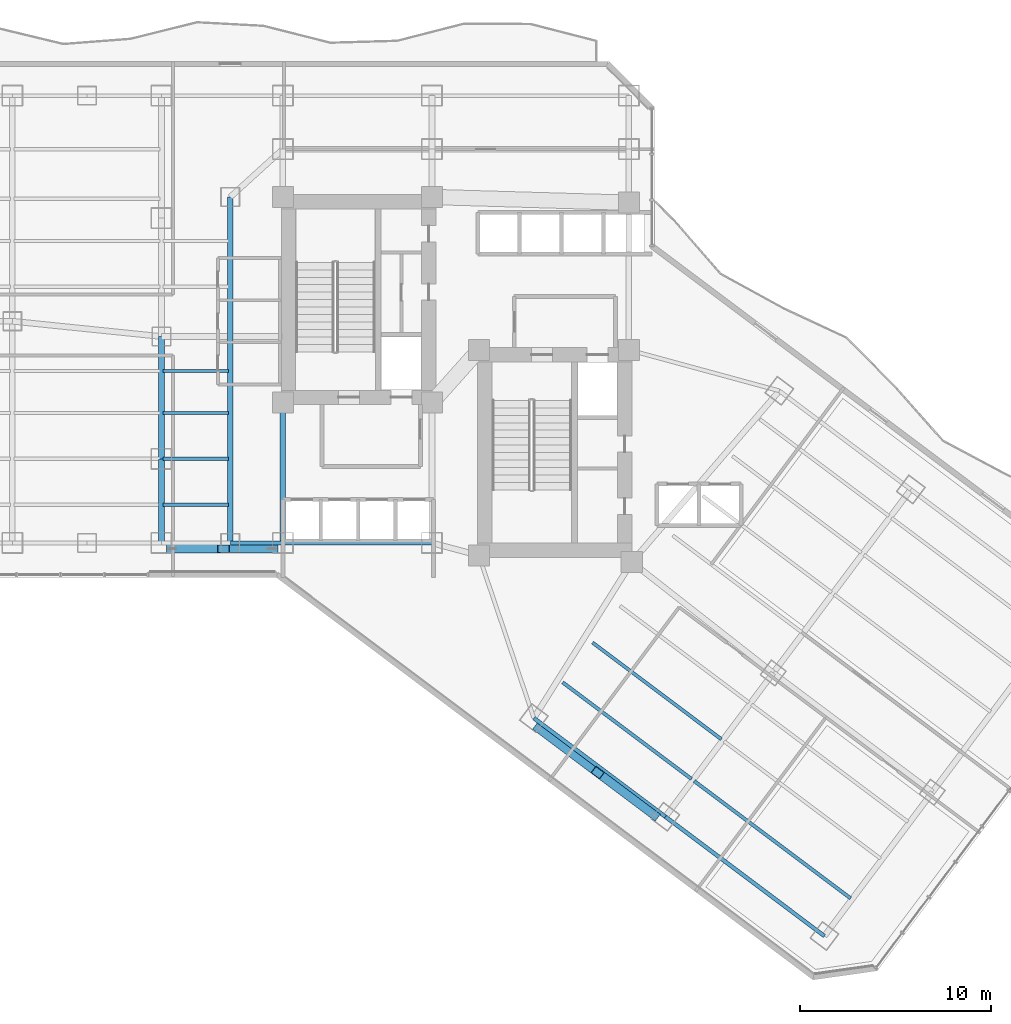
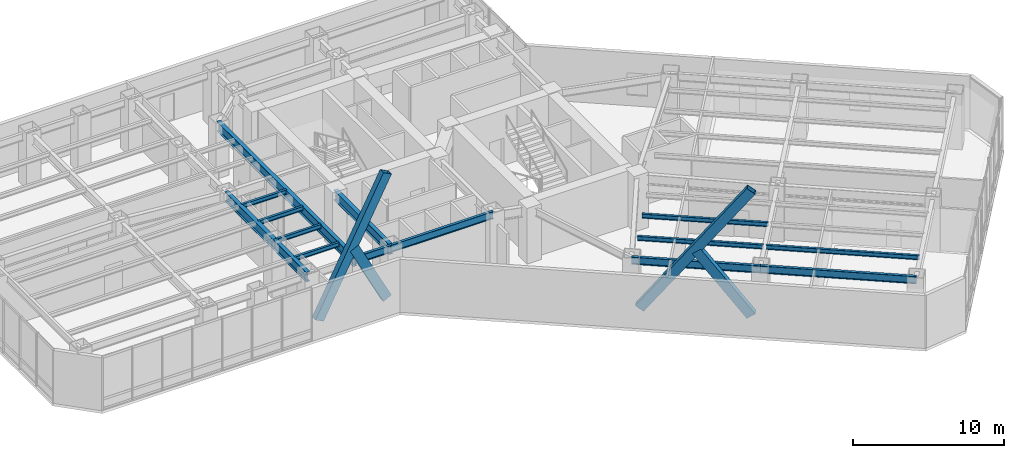
# One storey, part 5 of 29: 15 beams, 4 members.
"""IFC4 building model written with IfcOpenShell, lengths in metres."""

import ifcopenshell
import ifcopenshell.guid

model = None  # the IFC model being written
_history = None  # IfcOwnerHistory: only IFC2X3 demands one
_inside = {}  # id of a spatial element -> (the spatial element, [elements in it])
_under = {}  # id of a project, library or spatial element -> (it, [spatial elements below it])
_declared = {}  # id of a project -> (the project, [libraries it declares])
_typed = {}  # id of a type object -> (the type object, [elements of that type])
_made_of = {}  # id of a material, layer set ... -> (it, [elements and type objects made of it])


def new_model(schema):
    """Start an empty IFC model of exactly this schema.

    Asked for "IFC4X3", IfcOpenShell would pick the latest addendum, in which some entities
    have other attributes; the version numbers below select the first issue.
    IFC2X3 requires an IfcOwnerHistory on every rooted entity: one is made here for all.
    """
    global model, _history
    if schema == "IFC4X3":
        model = ifcopenshell.file(schema_version=(4, 3, 0, 0))
    else:
        model = ifcopenshell.file(schema=schema)
    _inside.clear()
    _under.clear()
    _declared.clear()
    _typed.clear()
    _made_of.clear()
    _history = None
    if model.schema == "IFC2X3":
        org = make("IfcOrganization", Name="unknown")
        user = make(
            "IfcPersonAndOrganization",
            ThePerson=make("IfcPerson", FamilyName="unknown"),
            TheOrganization=org,
        )
        app = make(
            "IfcApplication",
            ApplicationDeveloper=org,
            Version="unknown",
            ApplicationFullName="unknown",
            ApplicationIdentifier="unknown",
        )
        _history = make(
            "IfcOwnerHistory",
            OwningUser=user,
            OwningApplication=app,
            ChangeAction="ADDED",
            CreationDate=0,
        )
    return model


def make(cls, **values):
    """One entity of the class cls with the attributes given. An attribute that is None is left unset."""
    return model.create_entity(
        cls, **{name: value for name, value in values.items() if value is not None}
    )


def rooted(cls, **values):
    """An entity with a GlobalId (a new one), such as an element, a storey or a relation."""
    return make(cls, GlobalId=ifcopenshell.guid.new(), OwnerHistory=_history, **values)


def si_unit(unit_type, name, prefix=None):
    """IfcSIUnit, for example si_unit("LENGTHUNIT", "METRE", prefix="MILLI")."""
    return make("IfcSIUnit", UnitType=unit_type, Prefix=prefix, Name=name)


def assignment(units):
    """IfcUnitAssignment: the units of a project."""
    return None if units is None else make("IfcUnitAssignment", Units=units)


def point(xyz):
    """IfcCartesianPoint."""
    return None if xyz is None else make("IfcCartesianPoint", Coordinates=xyz)


def direction(xyz):
    """IfcDirection."""
    return None if xyz is None else make("IfcDirection", DirectionRatios=xyz)


def frame(location, z_axis=None, x_axis=None):
    """IfcAxis2Placement3D, a coordinate frame: its origin and axes. An axis left out is left unset."""
    return make(
        "IfcAxis2Placement3D",
        Location=point(location),
        Axis=direction(z_axis),
        RefDirection=direction(x_axis),
    )


def frame_2d(location, x_axis=None):
    """IfcAxis2Placement2D, a coordinate frame in the plane: its origin and x axis."""
    return make(
        "IfcAxis2Placement2D", Location=point(location), RefDirection=direction(x_axis)
    )


def origin():
    """The frame at (0, 0, 0) with its axes left unset."""
    return frame((0.0, 0.0, 0.0))


def origin_2d():
    """The frame at (0, 0) in the plane with its x axis left unset."""
    return frame_2d((0.0, 0.0))


def place(relative_to, where):
    """IfcLocalPlacement: puts the frame where relative to a parent placement (None: the world)."""
    return make(
        "IfcLocalPlacement", PlacementRelTo=relative_to, RelativePlacement=where
    )


def context(
    kind, dimensions, precision=None, world=None, true_north=None, identifier=None
):
    """IfcGeometricRepresentationContext, for example the 3D "Model" context."""
    return make(
        "IfcGeometricRepresentationContext",
        ContextIdentifier=identifier,
        ContextType=kind,
        CoordinateSpaceDimension=dimensions,
        Precision=precision,
        WorldCoordinateSystem=world,
        TrueNorth=true_north,
    )


def subcontext(parent, identifier, kind, view, scale=None):
    """IfcGeometricRepresentationSubContext, for example "Body" below "Model"."""
    return make(
        "IfcGeometricRepresentationSubContext",
        ContextIdentifier=identifier,
        ContextType=kind,
        ParentContext=parent,
        TargetScale=scale,
        TargetView=view,
    )


def project(units=None, contexts=None):
    """IfcProject with its units and contexts."""
    return rooted(
        "IfcProject",
        Name="project",
        RepresentationContexts=contexts,
        UnitsInContext=assignment(units),
    )


def spatial(cls, under=None, at=None, **own):
    """A site, building, storey or space (cls), placed at a placement, below another one or the project."""
    s = rooted(cls, ObjectPlacement=at, **own)
    if under is not None:
        _under.setdefault(under.id(), (under, []))[1].append(s)
    return s


def profile(cls, at=None, kind="AREA", **sizes):
    """A parametric profile (cls). Its sizes go by their IFC names, for example OverallWidth=200.0."""
    return make(cls, ProfileType=kind, Position=at, **sizes)


def hollow_rectangle(**sizes):
    """IfcRectangleHollowProfileDef."""
    return profile("IfcRectangleHollowProfileDef", **sizes)


def i_section(**sizes):
    """IfcIShapeProfileDef."""
    return profile("IfcIShapeProfileDef", **sizes)


def extrude(swept, where, along, depth):
    """IfcExtrudedAreaSolid: the profile swept, set in the frame where, extruded along a direction by depth."""
    return make(
        "IfcExtrudedAreaSolid",
        SweptArea=swept,
        Position=where,
        ExtrudedDirection=direction(along),
        Depth=depth,
    )


def shape(context_of_items, identifier, shape_type, items):
    """IfcShapeRepresentation: the items that make up one representation, for example the "Body"."""
    return make(
        "IfcShapeRepresentation",
        ContextOfItems=context_of_items,
        RepresentationIdentifier=identifier,
        RepresentationType=shape_type,
        Items=items,
    )


def material(Name=None, Category=None):
    """IfcMaterial."""
    return make("IfcMaterial", Name=Name, Category=Category)


def material_profile(
    of_material, cross_section, Name=None, Category=None, Priority=None
):
    """IfcMaterialProfile: a cross section and its material."""
    return make(
        "IfcMaterialProfile",
        Name=Name,
        Material=of_material,
        Profile=cross_section,
        Priority=Priority,
        Category=Category,
    )


def profile_set(profiles, Name=None, composite=None):
    """IfcMaterialProfileSet."""
    return make(
        "IfcMaterialProfileSet",
        Name=Name,
        MaterialProfiles=profiles,
        CompositeProfile=composite,
    )


def made_of(thing, what):
    """Note that an element or type object is made of a material, layer set ...; save() writes the relation."""
    if what is not None:
        _made_of.setdefault(what.id(), (what, []))[1].append(thing)
    return thing


def type_object(cls, material=None, **own):
    """A type object (cls), such as IfcWallType, which elements share."""
    return made_of(rooted(cls, **own), material)


def element(
    cls,
    number,
    at=None,
    inside=None,
    cuts=None,
    type_object=None,
    material=None,
    context=None,
    identifier="Body",
    shape_type=None,
    held_by="IfcProductDefinitionShape",
    body=None,
    shapes=None,
    **own,
):
    """One element of the class cls, such as IfcWall. Its Tag is "e" and its number.

    at: its placement. inside: the storey or other place that contains it. cuts: it is an
    opening in that element (IfcRelVoidsElement). A single representation is given by context,
    identifier, shape_type and body (its items); several are given by shapes. held_by: the class
    of the entity that holds the representations. save() writes the other relations.
    """
    e = rooted(cls, Tag="e%d" % number, ObjectPlacement=at, **own)
    if body is not None:
        shapes = [shape(context, identifier, shape_type, body)]
    if shapes is not None:
        e.Representation = make(held_by, Representations=shapes)
    if inside is not None:
        _inside.setdefault(inside.id(), (inside, []))[1].append(e)
    if cuts is not None:
        rooted(
            "IfcRelVoidsElement", RelatingBuildingElement=cuts, RelatedOpeningElement=e
        )
    if type_object is not None:
        _typed.setdefault(type_object.id(), (type_object, []))[1].append(e)
    return made_of(e, material)


def aggregate(whole, parts):
    """IfcRelAggregates: a whole, such as a stair, and the parts it consists of."""
    return rooted("IfcRelAggregates", RelatingObject=whole, RelatedObjects=parts)


def save(model, path):
    """Write the relations noted so far, then the file.

    IfcRelAggregates (storeys below a building ...), IfcRelContainedInSpatialStructure (elements
    in a storey), IfcRelDefinesByType, IfcRelAssociatesMaterial and IfcRelDeclares: one each for
    every whole, place, type object, material and project.
    """
    for whole, parts in _under.values():
        aggregate(whole, parts)
    for where, things in _inside.values():
        rooted(
            "IfcRelContainedInSpatialStructure",
            RelatedElements=things,
            RelatingStructure=where,
        )
    for kind, things in _typed.values():
        rooted("IfcRelDefinesByType", RelatedObjects=things, RelatingType=kind)
    for what, things in _made_of.values():
        rooted("IfcRelAssociatesMaterial", RelatedObjects=things, RelatingMaterial=what)
    for by, libraries in _declared.values():
        rooted("IfcRelDeclares", RelatingContext=by, RelatedDefinitions=libraries)
    model.write(path)


model = new_model("IFC4")

# Units and contexts
model_context = context("Model", 3, precision=1e-05, world=origin(), true_north=direction((0.0, 1.0)))
body_context = subcontext(model_context, "Body", "Model", "MODEL_VIEW")
ifc_project = project(units=[si_unit("LENGTHUNIT", "METRE"), si_unit("AREAUNIT", "SQUARE_METRE"), si_unit("VOLUMEUNIT", "CUBIC_METRE"), si_unit("PLANEANGLEUNIT", "RADIAN"), si_unit("MASSUNIT", "GRAM", prefix="KILO")], contexts=[model_context])

# Site, building, storey
site_placement = place(None, origin())
site = spatial("IfcSite", under=ifc_project, at=site_placement, CompositionType="ELEMENT")
building_placement = place(site_placement, origin())
building = spatial("IfcBuilding", under=site, at=building_placement, Name="Hatsunagi Terrace Concourse", CompositionType="ELEMENT")
storey_placement = place(building_placement, frame((0.0, 0.0, 32.10009765625)))
storey = spatial("IfcBuildingStorey", under=building, at=storey_placement, Name="L07", CompositionType="ELEMENT", Elevation=32.10009765625)

# Beams
ifc_material_1 = material(Name="Steel SN490B", Category="steel")
ifc_material_profile_1 = material_profile(ifc_material_1, i_section(OverallWidth=0.175048828125, OverallDepth=0.35009765625, WebThickness=0.007080078125, FlangeThickness=0.010986328125, FilletRadius=0.012939453125, at=origin_2d()), Name="H-350x175x7x11")
ifc_profile_set_1 = profile_set([ifc_material_profile_1], Name="Steel SN490B")
beam_type_1 = type_object("IfcBeamType", Name="HotelJoist_H_350x175", PredefinedType="JOIST", material=ifc_profile_set_1)
for number, where, z_axis, x_axis, name in (
    (1, (19.284912109375, 27.199951171875, 4.10498046875), (1.0, 0.0, 0.0), (0.0, 1.0, 0.0), "Beam J-02 J-L07-W-19-272"),
    (2, (19.284912109375, 29.60009765625, 4.10498046875), (1.0, 0.0, 0.0), (0.0, 1.0, 0.0), "Beam J-02 J-L07-W-19-296"),
    (3, (19.284912109375, 32.0, 4.10498046875), (1.0, 0.0, 0.0), (0.0, 1.0, 0.0), "Beam J-02 J-L07-W-19-320"),
    (4, (19.284912109375, 34.199951171875, 4.10498046875), (1.0, 0.0, 0.0), (0.0, 1.0, 0.0), "Beam J-02 J-L07-W-19-342"),
):
    element("IfcBeam", number, at=place(storey_placement, frame(where, z_axis=z_axis, x_axis=x_axis)), inside=storey, type_object=beam_type_1, Name=name, PredefinedType="JOIST", context=body_context, shape_type="SweptSolid", body=[
        extrude(i_section(OverallWidth=0.175048828125, OverallDepth=0.35009765625, WebThickness=0.007080078125, FlangeThickness=0.010986328125, FilletRadius=0.012939453125, at=origin_2d()), origin(), (0.0, 0.0, 1.0), 3.43017578125),
    ])
for number, where, z_axis, x_axis, name in (
    (5, (40.18798828125, 17.908935546875, 4.10498046875), (0.800003475366, -0.59999536615, 0.0), (0.59999536615, 0.800003475366, 0.0), "Beam J-02 J-L07-SE-2-46"),
    (6, (41.748046875, 19.989013671875, 4.10498046875), (0.799989573921, -0.600013901187, 0.0), (0.600013901187, 0.799989573921, 0.0), "Beam J-02 J-L07-SE-2-72"),
):
    element("IfcBeam", number, at=place(storey_placement, frame(where, z_axis=z_axis, x_axis=x_axis)), inside=storey, type_object=beam_type_1, Name=name, PredefinedType="JOIST", context=body_context, shape_type="SweptSolid", body=[
        extrude(i_section(OverallWidth=0.175048828125, OverallDepth=0.35009765625, WebThickness=0.007080078125, FlangeThickness=0.010986328125, FilletRadius=0.012939453125, at=origin_2d()), origin(), (0.0, 0.0, 1.0), 8.429931640625),
    ])
beam_1_placement = place(storey_placement, frame((47.068115234375, 12.7490234375, 4.10498046875), z_axis=(0.799997136125, -0.600003818481, 0.0), x_axis=(0.600003818481, 0.799997136125, 0.0)))
element("IfcBeam", 7, at=beam_1_placement, inside=storey, type_object=beam_type_1, Name="Beam J-02 J-L07-SE-3-46", PredefinedType="JOIST", context=body_context, shape_type="SweptSolid", body=[
    extrude(i_section(OverallWidth=0.175048828125, OverallDepth=0.35009765625, WebThickness=0.007080078125, FlangeThickness=0.010986328125, FilletRadius=0.012939453125, at=origin_2d()), origin(), (0.0, 0.0, 1.0), 10.229736328125),
])
ifc_material_2 = material(Name="Steel SN490B", Category="steel")
ifc_material_profile_2 = material_profile(ifc_material_2, i_section(OverallWidth=0.199951171875, OverallDepth=0.60009765625, WebThickness=0.010986328125, FlangeThickness=0.01708984375, FilletRadius=0.01806640625, at=origin_2d()), Name="H-600x200x11x17")
ifc_profile_set_2 = profile_set([ifc_material_profile_2], Name="Steel SN490B")
beam_type_2 = type_object("IfcBeamType", Name="PerimeterSpandrel_H_600x200", PredefinedType="SPANDREL", material=ifc_profile_set_2)
beam_2_placement = place(storey_placement, frame((22.800048828125, 25.199951171875, 3.97998046875), z_axis=(1.0, 0.0, 0.0), x_axis=(0.0, 1.0, 0.0)))
element("IfcBeam", 8, at=beam_2_placement, inside=storey, type_object=beam_type_2, Name="Beam SP-01 BM-L07-WS-22", PredefinedType="SPANDREL", context=body_context, shape_type="SweptSolid", body=[
    extrude(i_section(OverallWidth=0.199951171875, OverallDepth=0.60009765625, WebThickness=0.010986328125, FlangeThickness=0.01708984375, FilletRadius=0.01806640625, at=origin_2d()), origin(), (0.0, 0.0, 1.0), 2.75),
])
beam_3_placement = place(storey_placement, frame((25.550048828125, 25.199951171875, 3.97998046875), z_axis=(1.0, 0.0, 0.0), x_axis=(0.0, 1.0, 0.0)))
element("IfcBeam", 9, at=beam_3_placement, inside=storey, type_object=beam_type_2, Name="Beam SP-01 BM-L07-WS-25", PredefinedType="SPANDREL", context=body_context, shape_type="SweptSolid", body=[
    extrude(i_section(OverallWidth=0.199951171875, OverallDepth=0.60009765625, WebThickness=0.010986328125, FlangeThickness=0.01708984375, FilletRadius=0.01806640625, at=origin_2d()), origin(), (0.0, 0.0, 1.0), 7.800048828125),
])
beam_4_placement = place(storey_placement, frame((38.679931640625, 16.0400390625, 3.97998046875), z_axis=(0.799996593451, -0.600004542038, 0.0), x_axis=(0.600004542038, 0.799996593451, 0.0)))
element("IfcBeam", 10, at=beam_4_placement, inside=storey, type_object=beam_type_2, Name="Beam SP-01 BM-L07-SE-SW2", PredefinedType="SPANDREL", context=body_context, shape_type="SweptSolid", body=[
    extrude(i_section(OverallWidth=0.199951171875, OverallDepth=0.60009765625, WebThickness=0.010986328125, FlangeThickness=0.01708984375, FilletRadius=0.01806640625, at=origin_2d()), origin(), (0.0, 0.0, 1.0), 8.60009765625),
])
beam_5_placement = place(storey_placement, frame((45.56005859375, 10.8798828125, 3.97998046875), z_axis=(0.799994365871, -0.600007512099, 0.0), x_axis=(0.600007512099, 0.799994365871, 0.0)))
element("IfcBeam", 11, at=beam_5_placement, inside=storey, type_object=beam_type_2, Name="Beam SP-01 BM-L07-SE-SW3", PredefinedType="SPANDREL", context=body_context, shape_type="SweptSolid", body=[
    extrude(i_section(OverallWidth=0.199951171875, OverallDepth=0.60009765625, WebThickness=0.010986328125, FlangeThickness=0.01708984375, FilletRadius=0.01806640625, at=origin_2d()), origin(), (0.0, 0.0, 1.0), 10.39990234375),
])

# Members
ifc_material_3 = material(Name="Steel SN490B", Category="steel")
ifc_material_profile_3 = material_profile(ifc_material_3, hollow_rectangle(XDim=0.449951171875, YDim=0.699951171875, WallThickness=0.028076171875, at=origin_2d()), Name="RHS-700x450x28")
ifc_profile_set_3 = profile_set([ifc_material_profile_3], Name="Steel SN490B")
member_type = type_object("IfcMemberType", Name="PerimeterXBrace_Lower_RHS_700x450x28", PredefinedType="BRACE", material=ifc_profile_set_3)
member_1_placement = place(storey_placement, frame((19.77490234375, 24.89990234375, 0.43994140625), z_axis=(0.45776460776, 0.0, 0.889073429972), x_axis=(0.0, 1.0, 0.0)))
element("IfcMember", 12, at=member_1_placement, inside=storey, type_object=member_type, Name="Perimeter X-Brace XB-01 XB-L07-W1A", PredefinedType="BRACE", context=body_context, shape_type="SweptSolid", body=[
    extrude(hollow_rectangle(XDim=0.449951171875, YDim=0.699951171875, WallThickness=0.028076171875, at=origin_2d()), origin(), (0.0, 0.0, 1.0), 11.35986328125),
])
member_2_placement = place(storey_placement, frame((22.43896484375, 24.89990234375, 5.365966796875), z_axis=(0.457740251596, 0.0, -0.88908597001), x_axis=(0.0, 1.0, 0.0)))
element("IfcMember", 13, at=member_2_placement, inside=storey, type_object=member_type, Name="Perimeter X-Brace Split Lower XB-01 XB-L07-W1B2", PredefinedType="BRACE", context=body_context, shape_type="SweptSolid", body=[
    extrude(hollow_rectangle(XDim=0.449951171875, YDim=0.699951171875, WallThickness=0.028076171875, at=origin_2d()), origin(), (0.0, 0.0, 1.0), 5.54052734375),
])
member_3_placement = place(storey_placement, frame((38.971923828125, 15.470947265625, 0.43994140625), z_axis=(0.474887767995, -0.356165825996, 0.804753075298), x_axis=(0.6, 0.8, 0.0)))
element("IfcMember", 14, at=member_3_placement, inside=storey, type_object=member_type, Name="Perimeter X-Brace XB-01 XB-L07-SEA", PredefinedType="BRACE", context=body_context, shape_type="SweptSolid", body=[
    extrude(hollow_rectangle(XDim=0.449951171875, YDim=0.699951171875, WallThickness=0.028076171875, at=origin_2d()), origin(), (0.0, 0.0, 1.0), 12.55029296875),
])
member_4_placement = place(storey_placement, frame((42.01806640625, 13.18603515625, 5.376953125), z_axis=(0.47494573884, -0.356159561174, -0.804721636432), x_axis=(0.599946372161, 0.800040218071, 0.0)))
element("IfcMember", 15, at=member_4_placement, inside=storey, type_object=member_type, Name="Perimeter X-Brace Split Lower XB-01 XB-L07-SEB2", PredefinedType="BRACE", context=body_context, shape_type="SweptSolid", body=[
    extrude(hollow_rectangle(XDim=0.449951171875, YDim=0.699951171875, WallThickness=0.028076171875, at=origin_2d()), origin(), (0.0, 0.0, 1.0), 6.135009765625),
])

# Beams
ifc_material_4 = material(Name="Steel SN490B", Category="steel")
ifc_material_profile_4 = material_profile(ifc_material_4, i_section(OverallWidth=0.300048828125, OverallDepth=0.800048828125, WebThickness=0.013916015625, FlangeThickness=0.02587890625, FilletRadius=0.02197265625, at=origin_2d()), Name="H-800x300x14x26")
ifc_profile_set_4 = profile_set([ifc_material_profile_4], Name="Steel SN490B")
beam_type_3 = type_object("IfcBeamType", Name="SkyLobbyGirder_H_800x300", PredefinedType="BEAM", material=ifc_profile_set_4)
beam_6_placement = place(storey_placement, frame((25.550048828125, 25.199951171875, 3.8798828125), z_axis=(0.0, 1.0, 0.0), x_axis=(-1.0, 0.0, 0.0)))
element("IfcBeam", 16, at=beam_6_placement, inside=storey, type_object=beam_type_3, Name="Beam G-03 BM-L07-K1CA", PredefinedType="BEAM", context=body_context, shape_type="SweptSolid", body=[
    extrude(i_section(OverallWidth=0.300048828125, OverallDepth=0.800048828125, WebThickness=0.013916015625, FlangeThickness=0.02587890625, FilletRadius=0.02197265625, at=origin_2d()), origin(), (0.0, 0.0, 1.0), 7.35009765625),
])
beam_7_placement = place(storey_placement, frame((22.800048828125, 25.199951171875, 3.8798828125), z_axis=(0.0, 1.0, 0.0), x_axis=(-1.0, 0.0, 0.0)))
element("IfcBeam", 17, at=beam_7_placement, inside=storey, type_object=beam_type_3, Name="Beam G-03 BM-L07-CWNS", PredefinedType="BEAM", context=body_context, shape_type="SweptSolid", body=[
    extrude(i_section(OverallWidth=0.300048828125, OverallDepth=0.800048828125, WebThickness=0.013916015625, FlangeThickness=0.02587890625, FilletRadius=0.02197265625, at=origin_2d()), origin(), (0.0, 0.0, 1.0), 18.10009765625),
])
beam_8_placement = place(storey_placement, frame((19.199951171875, 25.199951171875, 3.8798828125), z_axis=(0.0, 1.0, 0.0), x_axis=(-1.0, 0.0, 0.0)))
element("IfcBeam", 18, at=beam_8_placement, inside=storey, type_object=beam_type_3, Name="Beam G-03 BM-L07-NS-19-25", PredefinedType="BEAM", context=body_context, shape_type="SweptSolid", body=[
    extrude(i_section(OverallWidth=0.300048828125, OverallDepth=0.800048828125, WebThickness=0.013916015625, FlangeThickness=0.02587890625, FilletRadius=0.02197265625, at=origin_2d()), origin(), (0.0, 0.0, 1.0), 4.400146484375),
])
beam_9_placement = place(storey_placement, frame((19.199951171875, 29.60009765625, 3.8798828125), z_axis=(0.0, 1.0, 0.0), x_axis=(-1.0, 0.0, 0.0)))
element("IfcBeam", 19, at=beam_9_placement, inside=storey, type_object=beam_type_3, Name="Beam G-03 BM-L07-NS-19-29", PredefinedType="BEAM", context=body_context, shape_type="SweptSolid", body=[
    extrude(i_section(OverallWidth=0.300048828125, OverallDepth=0.800048828125, WebThickness=0.013916015625, FlangeThickness=0.02587890625, FilletRadius=0.02197265625, at=origin_2d()), origin(), (0.0, 0.0, 1.0), 6.39990234375),
])

save(model, "model.ifc")
